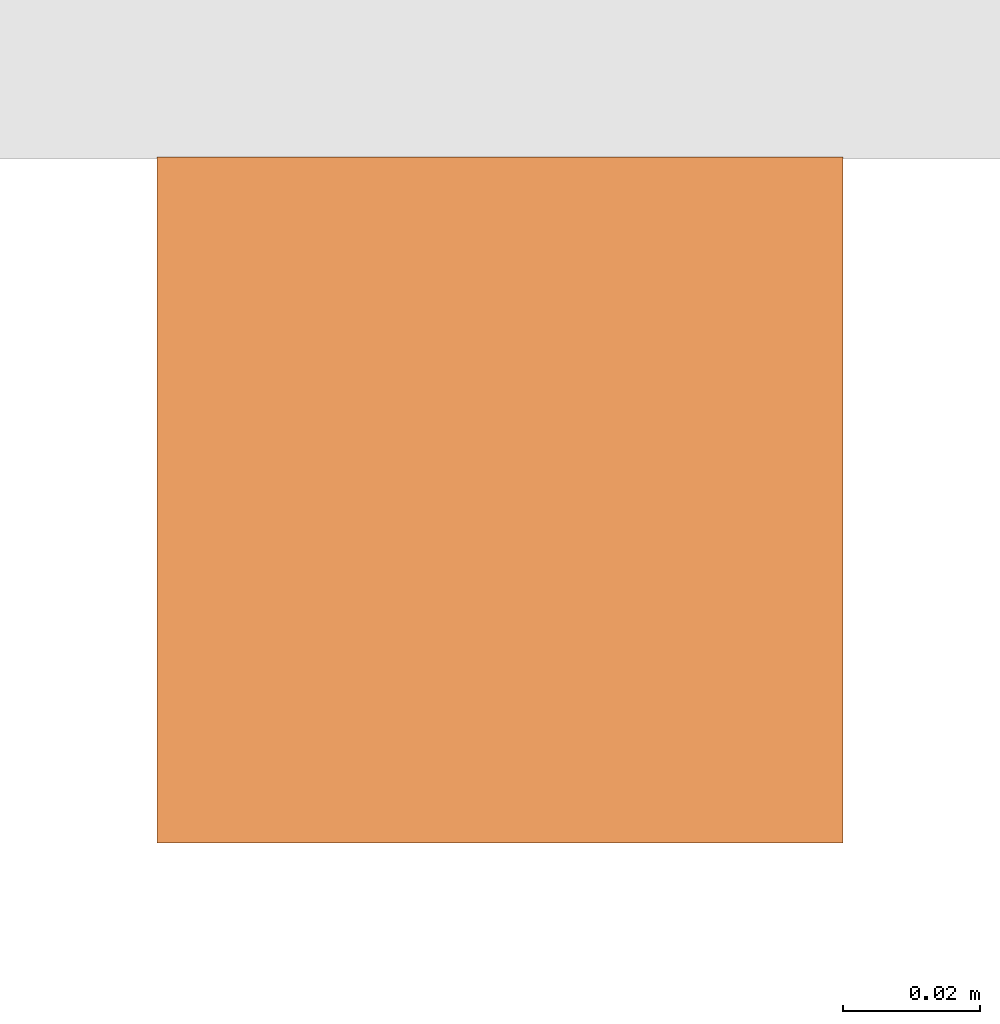
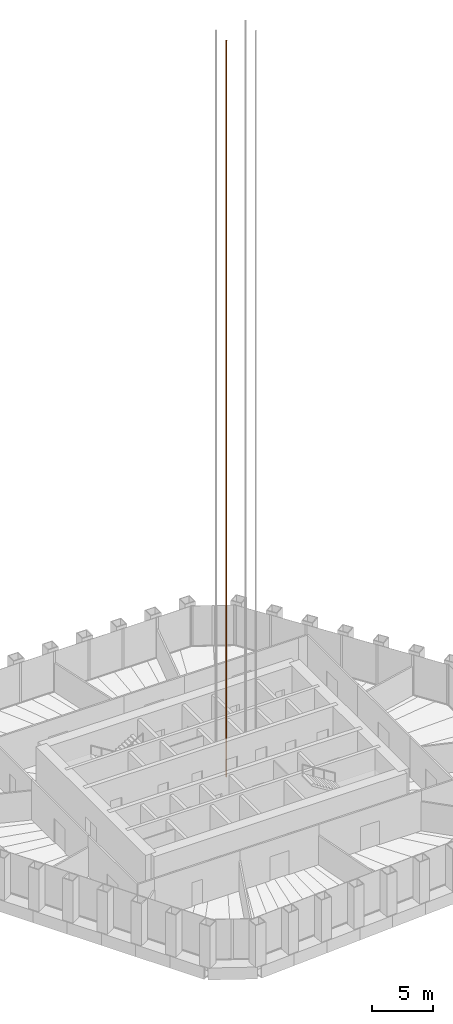
# One storey, part 16 of 19: 1 proxy.
"""IFC4 building model written with IfcOpenShell, lengths in metres."""

from ifc_helpers import new_model, si_unit, direction, frame, origin, origin_2d, place, context, subcontext, project, spatial, rectangle, extrude, material, type_object, element, save


model = new_model("IFC4")

# Units and contexts
model_context = context("Model", 3, precision=1e-05, world=origin(), true_north=direction((0.0, 1.0)))
body_context = subcontext(model_context, "Body", "Model", "MODEL_VIEW")
ifc_project = project(units=[si_unit("LENGTHUNIT", "METRE"), si_unit("AREAUNIT", "SQUARE_METRE"), si_unit("VOLUMEUNIT", "CUBIC_METRE"), si_unit("PLANEANGLEUNIT", "RADIAN"), si_unit("MASSUNIT", "GRAM", prefix="KILO")], contexts=[model_context])

# Site, building, storey
site_placement = place(None, origin())
site = spatial("IfcSite", under=ifc_project, at=site_placement, CompositionType="ELEMENT")
building_placement = place(site_placement, origin())
building = spatial("IfcBuilding", under=site, at=building_placement, Name="Qingtian Harvest Tower", CompositionType="ELEMENT")
storey_placement = place(building_placement, frame((0.0, 0.0, 262.0)))
storey = spatial("IfcBuildingStorey", under=building, at=storey_placement, Name="L57", CompositionType="ELEMENT", Elevation=262.0)

# Proxy
ifc_material = material(Name="Steel SN490B", Category="steel")
building_element_proxy_type = type_object("IfcBuildingElementProxyType", Name="Lift guide rail LR1", PredefinedType="NOTDEFINED", material=ifc_material)
proxy_placement = place(storey_placement, frame((1.89990234375, 2.675048828125, 0.0), z_axis=(0.0, 0.0, 1.0), x_axis=(1.0, 0.0, 0.0)))
element("IfcBuildingElementProxy", 1, at=proxy_placement, inside=storey, type_object=building_element_proxy_type, Name="Lift PLD1 guide rail 1", PredefinedType="NOTDEFINED", context=body_context, shape_type="SweptSolid", body=[
    extrude(rectangle(XDim=0.10009765625, YDim=0.10009765625, at=origin_2d()), origin(), (0.0, 0.0, 1.0), 73.800048828125),
])

save(model, "model.ifc")
